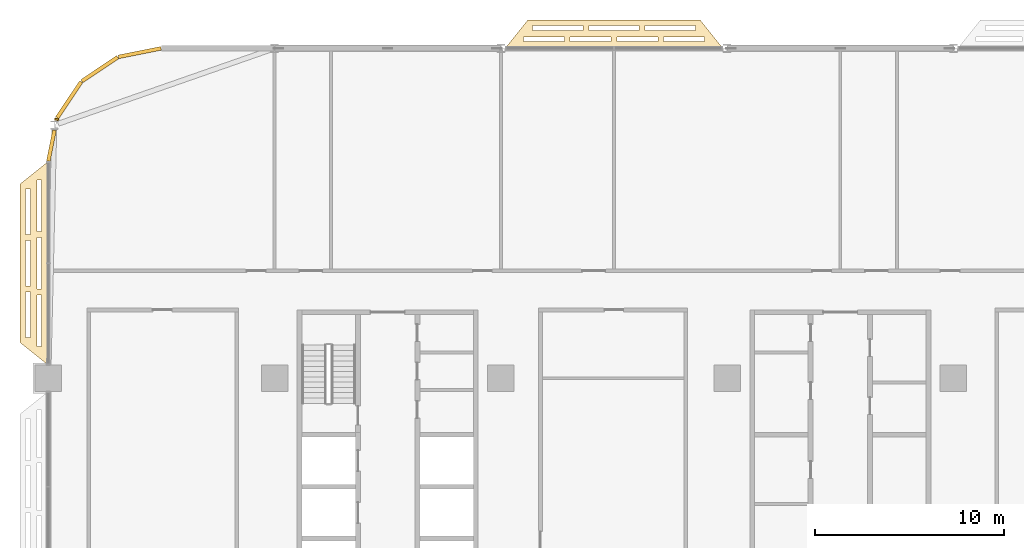
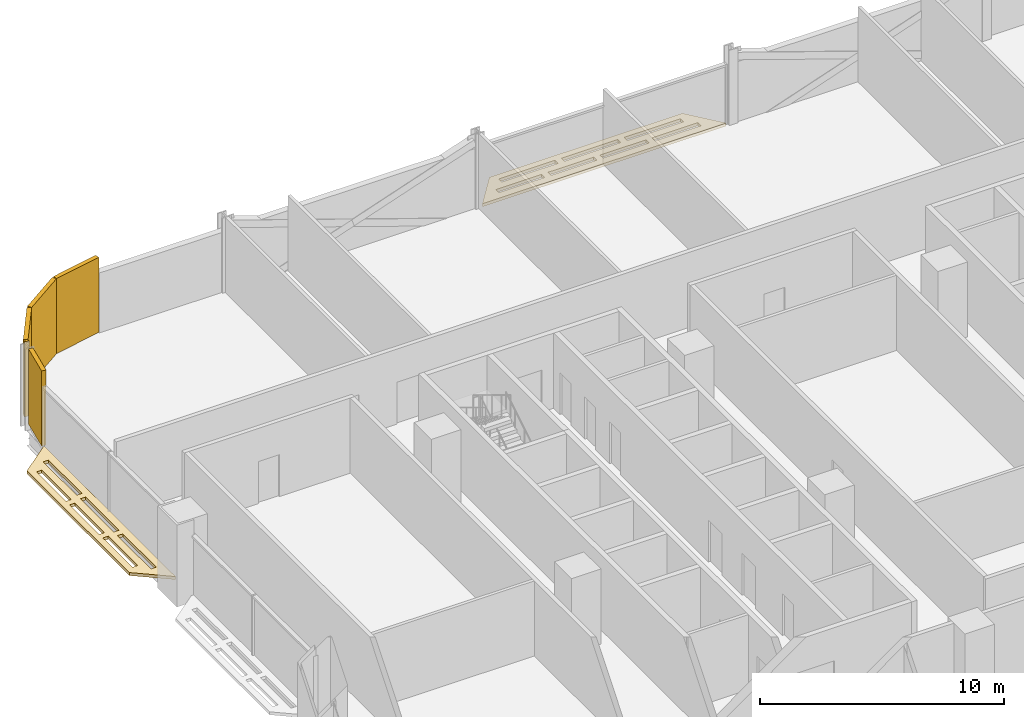
# One storey, part 27 of 29: 7 coverings.
"""IFC4 building model written with IfcOpenShell, lengths in metres."""

from ifc_helpers import new_model, si_unit, direction, frame, origin, origin_2d, place, context, subcontext, project, spatial, polyline, rectangle, outline, extrude, material, layer, layer_set, type_object, element, save


model = new_model("IFC4")

# Units and contexts
model_context = context("Model", 3, precision=1e-05, world=origin(), true_north=direction((0.0, 1.0)))
body_context = subcontext(model_context, "Body", "Model", "MODEL_VIEW")
ifc_project = project(units=[si_unit("LENGTHUNIT", "METRE"), si_unit("AREAUNIT", "SQUARE_METRE"), si_unit("VOLUMEUNIT", "CUBIC_METRE"), si_unit("PLANEANGLEUNIT", "RADIAN"), si_unit("MASSUNIT", "GRAM", prefix="KILO")], contexts=[model_context])

# Site, building, storey
site_placement = place(None, origin())
site = spatial("IfcSite", under=ifc_project, at=site_placement, CompositionType="ELEMENT")
building_placement = place(site_placement, origin())
building = spatial("IfcBuilding", under=site, at=building_placement, Name="Mahtab Terrace Research Tower", CompositionType="ELEMENT")
storey_placement = place(building_placement, frame((0.0, 0.0, 97.10009765625)))
storey = spatial("IfcBuildingStorey", under=building, at=storey_placement, Name="L22", CompositionType="ELEMENT", Elevation=97.10009765625)

# Coverings
ifc_material_1 = material(Name="Black aluminium cladding panel", Category="aluminium")
ifc_layer_1 = layer(ifc_material_1, 0.199951171875)
ifc_layer_set_1 = layer_set([ifc_layer_1], Name="Black metal corner cladding 200")
covering_type_1 = type_object("IfcCoveringType", Name="Black metal corner cladding 200", PredefinedType="CLADDING", material=ifc_layer_set_1)
for number, where, z_axis, x_axis, name in (
    (1, (-37.14794921875, 28.771484375, 0.0), (0.0, 0.0, 1.0), (-0.980760981187, -0.195212442692, 0.0), "Corner cladding L22 11"),
    (2, (-39.26953125, 27.89306640625, 0.0), (0.0, 0.0, 1.0), (-0.831655794326, -0.555291490808, 0.0), "Corner cladding L22 12"),
    (3, (-40.89306640625, 26.26953125, 0.0), (0.0, 0.0, 1.0), (-0.555291490808, -0.831655794326, 0.0), "Corner cladding L22 13"),
):
    element("IfcCovering", number, at=place(storey_placement, frame(where, z_axis=z_axis, x_axis=x_axis)), inside=storey, type_object=covering_type_1, Name=name, PredefinedType="CLADDING", context=body_context, shape_type="SweptSolid", body=[
        extrude(rectangle(XDim=2.30126953125, YDim=0.199951171875, at=origin_2d()), origin(), (0.0, 0.0, 1.0), 3.760009765625),
    ])
covering_1_placement = place(storey_placement, frame((-41.5556640625, 25.231689453125, 0.0), z_axis=(0.0, 0.0, 1.0), x_axis=(-0.195212442692, -0.980760981187, 0.0)))
element("IfcCovering", 4, at=covering_1_placement, inside=storey, type_object=covering_type_1, Name="Corner cladding L22 14", PredefinedType="CLADDING", context=body_context, shape_type="SweptSolid", body=[
    extrude(rectangle(XDim=0.11083984375, YDim=0.199951171875, at=origin_2d()), origin(), (0.0, 0.0, 1.0), 3.760009765625),
])
covering_2_placement = place(storey_placement, frame((-41.833740234375, 23.83544921875, 0.0), z_axis=(0.0, 0.0, 1.0), x_axis=(-0.195212442692, -0.980760981187, 0.0)))
element("IfcCovering", 5, at=covering_2_placement, inside=storey, type_object=covering_type_1, Name="Corner cladding L22 15", PredefinedType="CLADDING", context=body_context, shape_type="SweptSolid", body=[
    extrude(rectangle(XDim=1.6640625, YDim=0.199951171875, at=origin_2d()), origin(), (0.0, 0.0, 1.0), 3.760009765625),
])
ifc_material_2 = material(Name="Black anodised aluminium", Category="aluminium")
ifc_layer_2 = layer(ifc_material_2, 0.14990234375)
ifc_layer_set_2 = layer_set([ifc_layer_2], Name="Horizontal sunshade band")
covering_type_2 = type_object("IfcCoveringType", Name="Horizontal sunshade band", PredefinedType="CLADDING", material=ifc_layer_set_2)
covering_3_placement = place(storey_placement, frame((0.0, 0.0, -0.150146484375)))
element("IfcCovering", 6, at=covering_3_placement, inside=storey, type_object=covering_type_2, Name="Sunshade band L22 8", PredefinedType="CLADDING", context=body_context, shape_type="SweptSolid", body=[
    extrude(outline(polyline([(-6.22802734375, 29.0), (-17.77197265625, 29.0), (-16.572021484375, 30.5), (-7.427978515625, 30.5), (-6.22802734375, 29.0)]), holes=[polyline([(-7.2080078125, 29.35009765625), (-9.37890625, 29.35009765625), (-9.37890625, 29.60009765625), (-7.2080078125, 29.60009765625), (-7.2080078125, 29.35009765625)]), polyline([(-9.678955078125, 29.35009765625), (-11.85009765625, 29.35009765625), (-11.85009765625, 29.60009765625), (-9.678955078125, 29.60009765625), (-9.678955078125, 29.35009765625)]), polyline([(-12.14990234375, 29.35009765625), (-14.321044921875, 29.35009765625), (-14.321044921875, 29.60009765625), (-12.14990234375, 29.60009765625), (-12.14990234375, 29.35009765625)]), polyline([(-14.62109375, 29.35009765625), (-16.7919921875, 29.35009765625), (-16.7919921875, 29.60009765625), (-14.62109375, 29.60009765625), (-14.62109375, 29.35009765625)]), polyline([(-7.68798828125, 29.949951171875), (-10.363037109375, 29.949951171875), (-10.363037109375, 30.199951171875), (-7.68798828125, 30.199951171875), (-7.68798828125, 29.949951171875)]), polyline([(-10.6630859375, 29.949951171875), (-13.3369140625, 29.949951171875), (-13.3369140625, 30.199951171875), (-10.6630859375, 30.199951171875), (-10.6630859375, 29.949951171875)]), polyline([(-13.636962890625, 29.949951171875), (-16.31201171875, 29.949951171875), (-16.31201171875, 30.199951171875), (-13.636962890625, 30.199951171875), (-13.636962890625, 29.949951171875)])]), origin(), (0.0, 0.0, 1.0), 0.150146484375),
])
covering_4_placement = place(storey_placement, frame((0.0, 0.0, -0.150146484375)))
element("IfcCovering", 7, at=covering_4_placement, inside=storey, type_object=covering_type_2, Name="Sunshade band L22 16", PredefinedType="CLADDING", context=body_context, shape_type="SweptSolid", body=[
    extrude(outline(polyline([(-42.0, 23.0), (-42.0, 12.199951171875), (-43.5, 13.39990234375), (-43.5, 21.800048828125), (-42.0, 23.0)]), holes=[polyline([(-42.35009765625, 22.02001953125), (-42.35009765625, 19.27294921875), (-42.60009765625, 19.27294921875), (-42.60009765625, 22.02001953125), (-42.35009765625, 22.02001953125)]), polyline([(-42.35009765625, 18.972900390625), (-42.35009765625, 16.22705078125), (-42.60009765625, 16.22705078125), (-42.60009765625, 18.972900390625), (-42.35009765625, 18.972900390625)]), polyline([(-42.35009765625, 15.927001953125), (-42.35009765625, 13.179931640625), (-42.60009765625, 13.179931640625), (-42.60009765625, 15.927001953125), (-42.35009765625, 15.927001953125)]), polyline([(-42.949951171875, 21.5400390625), (-42.949951171875, 19.113037109375), (-43.199951171875, 19.113037109375), (-43.199951171875, 21.5400390625), (-42.949951171875, 21.5400390625)]), polyline([(-42.949951171875, 18.81298828125), (-42.949951171875, 16.386962890625), (-43.199951171875, 16.386962890625), (-43.199951171875, 18.81298828125), (-42.949951171875, 18.81298828125)]), polyline([(-42.949951171875, 16.0869140625), (-42.949951171875, 13.659912109375), (-43.199951171875, 13.659912109375), (-43.199951171875, 16.0869140625), (-42.949951171875, 16.0869140625)])]), origin(), (0.0, 0.0, 1.0), 0.150146484375),
])

save(model, "model.ifc")
